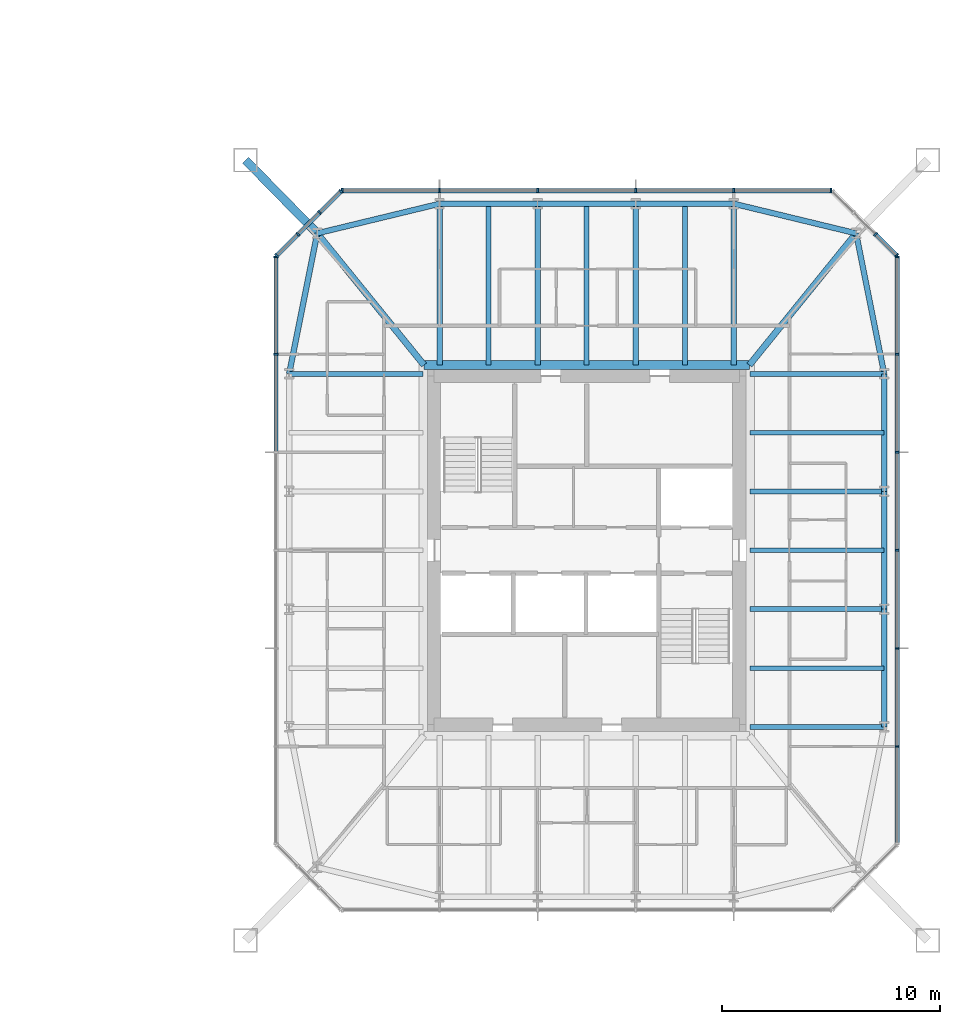
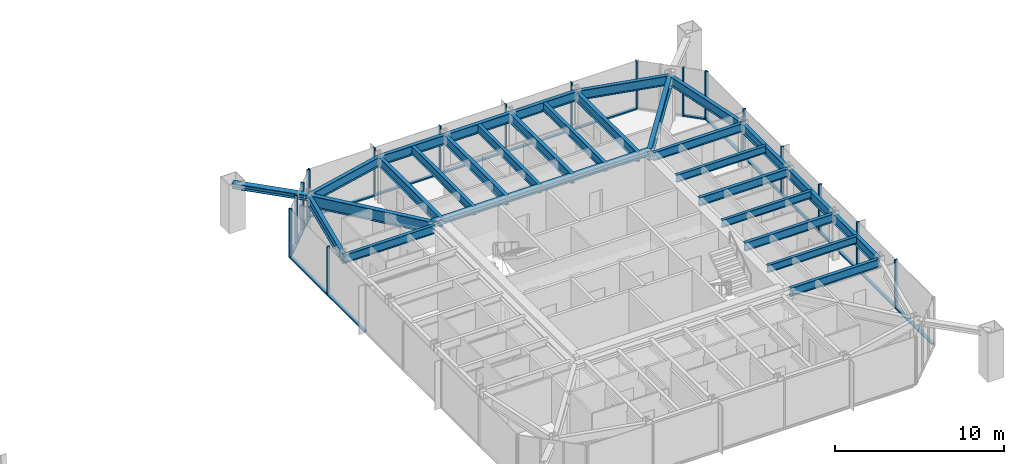
# One storey, part 9 of 25: 38 members, 28 beams, 5 elements without a shape of their own.
"""IFC4 building model written with IfcOpenShell, lengths in metres."""

from ifc_helpers import new_model, si_unit, direction, frame, origin, origin_2d, place, context, subcontext, project, spatial, rectangle, i_section, extrude, material, material_profile, profile_set, type_object, element, aggregate, save


model = new_model("IFC4")

# Units and contexts
model_context = context("Model", 3, precision=1e-05, world=origin(), true_north=direction((0.0, 1.0)))
body_context = subcontext(model_context, "Body", "Model", "MODEL_VIEW")
ifc_project = project(units=[si_unit("LENGTHUNIT", "METRE"), si_unit("AREAUNIT", "SQUARE_METRE"), si_unit("VOLUMEUNIT", "CUBIC_METRE"), si_unit("PLANEANGLEUNIT", "RADIAN"), si_unit("MASSUNIT", "GRAM", prefix="KILO")], contexts=[model_context])

# Site, building, storey
site_placement = place(None, origin())
site = spatial("IfcSite", under=ifc_project, at=site_placement, CompositionType="ELEMENT")
building_placement = place(site_placement, origin())
building = spatial("IfcBuilding", under=site, at=building_placement, Name="Iwan Alto Co-Living Towers", CompositionType="ELEMENT")
storey_placement = place(building_placement, frame((0.0, 0.0, 84.0)))
storey = spatial("IfcBuildingStorey", under=building, at=storey_placement, Name="L22", CompositionType="ELEMENT", Elevation=84.0)

# Curtain wall, members
ifc_material_1 = material(Name="Bronze aluminium unitised frame", Category="aluminium")
curtain_wall_type_1 = type_object("IfcCurtainWallType", Name="CURTAIN WALL CW-C", PredefinedType="NOTDEFINED", material=ifc_material_1)
curtain_wall_1_placement = place(storey_placement, origin())
curtain_wall_1 = element("IfcCurtainWall", 1, at=curtain_wall_1_placement, inside=storey, type_object=curtain_wall_type_1, Name="T2 curtain wall E L22", PredefinedType="NOTDEFINED")
ifc_material_2 = material(Name="Aluminium 6063-T6 bronze anodised", Category="aluminium")
ifc_material_profile_1 = material_profile(ifc_material_2, rectangle(XDim=0.199951171875, YDim=0.080078125, at=origin_2d()), Name="AL 80X200")
ifc_profile_set_1 = profile_set([ifc_material_profile_1], Name="Aluminium 6063-T6 bronze anodised")
member_type_1 = type_object("IfcMemberType", Name="CW-C MULLION 80X200", PredefinedType="MULLION", material=ifc_profile_set_1)
member_1_placement = place(storey_placement, frame((77.25, -9.0, 0.0), z_axis=(0.0, 0.0, 1.0), x_axis=(-1.0, 0.0, 0.0)))
member_1 = element("IfcMember", 2, at=member_1_placement, type_object=member_type_1, Name="CW-C mullion 2", PredefinedType="MULLION", context=body_context, shape_type="SweptSolid", body=[
    extrude(rectangle(XDim=0.199951171875, YDim=0.080078125, at=origin_2d()), origin(), (0.0, 0.0, 1.0), 3.5),
])
member_2_placement = place(storey_placement, frame((77.25, -4.5, 0.0), z_axis=(0.0, 0.0, 1.0), x_axis=(-1.0, 0.0, 0.0)))
member_2 = element("IfcMember", 3, at=member_2_placement, type_object=member_type_1, Name="CW-C mullion 3", PredefinedType="MULLION", context=body_context, shape_type="SweptSolid", body=[
    extrude(rectangle(XDim=0.199951171875, YDim=0.080078125, at=origin_2d()), origin(), (0.0, 0.0, 1.0), 3.5),
])
member_3_placement = place(storey_placement, frame((77.25, 0.0, 0.0), z_axis=(0.0, 0.0, 1.0), x_axis=(-1.0, 0.0, 0.0)))
member_3 = element("IfcMember", 4, at=member_3_placement, type_object=member_type_1, Name="CW-C mullion 4", PredefinedType="MULLION", context=body_context, shape_type="SweptSolid", body=[
    extrude(rectangle(XDim=0.199951171875, YDim=0.080078125, at=origin_2d()), origin(), (0.0, 0.0, 1.0), 3.5),
])
member_4_placement = place(storey_placement, frame((77.25, 4.5, 0.0), z_axis=(0.0, 0.0, 1.0), x_axis=(-1.0, 0.0, 0.0)))
member_4 = element("IfcMember", 5, at=member_4_placement, type_object=member_type_1, Name="CW-C mullion 5", PredefinedType="MULLION", context=body_context, shape_type="SweptSolid", body=[
    extrude(rectangle(XDim=0.199951171875, YDim=0.080078125, at=origin_2d()), origin(), (0.0, 0.0, 1.0), 3.5),
])
member_5_placement = place(storey_placement, frame((77.25, 9.0, 0.0), z_axis=(0.0, 0.0, 1.0), x_axis=(-1.0, 0.0, 0.0)))
member_5 = element("IfcMember", 6, at=member_5_placement, type_object=member_type_1, Name="CW-C mullion 6", PredefinedType="MULLION", context=body_context, shape_type="SweptSolid", body=[
    extrude(rectangle(XDim=0.199951171875, YDim=0.080078125, at=origin_2d()), origin(), (0.0, 0.0, 1.0), 3.5),
])
member_6_placement = place(storey_placement, frame((77.25, 13.4599609375, 0.0), z_axis=(0.0, 0.0, 1.0), x_axis=(-1.0, 0.0, 0.0)))
member_6 = element("IfcMember", 7, at=member_6_placement, type_object=member_type_1, Name="CW-C mullion 7", PredefinedType="MULLION", context=body_context, shape_type="SweptSolid", body=[
    extrude(rectangle(XDim=0.199951171875, YDim=0.080078125, at=origin_2d()), origin(), (0.0, 0.0, 1.0), 3.5),
])

curtain_wall_2_placement = place(storey_placement, origin())
curtain_wall_2 = element("IfcCurtainWall", 8, at=curtain_wall_2_placement, inside=storey, type_object=curtain_wall_type_1, Name="T2 curtain wall N L22", PredefinedType="NOTDEFINED")
member_7_placement = place(storey_placement, frame((74.2099609375, 16.5, 0.0), z_axis=(0.0, 0.0, 1.0), x_axis=(0.0, -1.0, 0.0)))
member_7 = element("IfcMember", 9, at=member_7_placement, type_object=member_type_1, Name="CW-C mullion 1", PredefinedType="MULLION", context=body_context, shape_type="SweptSolid", body=[
    extrude(rectangle(XDim=0.199951171875, YDim=0.080078125, at=origin_2d()), origin(), (0.0, 0.0, 1.0), 3.5),
])
member_8_placement = place(storey_placement, frame((69.75, 16.5, 0.0), z_axis=(0.0, 0.0, 1.0), x_axis=(0.0, -1.0, 0.0)))
member_8 = element("IfcMember", 10, at=member_8_placement, type_object=member_type_1, Name="CW-C mullion 2", PredefinedType="MULLION", context=body_context, shape_type="SweptSolid", body=[
    extrude(rectangle(XDim=0.199951171875, YDim=0.080078125, at=origin_2d()), origin(), (0.0, 0.0, 1.0), 3.5),
])
member_9_placement = place(storey_placement, frame((65.25, 16.5, 0.0), z_axis=(0.0, 0.0, 1.0), x_axis=(0.0, -1.0, 0.0)))
member_9 = element("IfcMember", 11, at=member_9_placement, type_object=member_type_1, Name="CW-C mullion 3", PredefinedType="MULLION", context=body_context, shape_type="SweptSolid", body=[
    extrude(rectangle(XDim=0.199951171875, YDim=0.080078125, at=origin_2d()), origin(), (0.0, 0.0, 1.0), 3.5),
])
member_10_placement = place(storey_placement, frame((60.75, 16.5, 0.0), z_axis=(0.0, 0.0, 1.0), x_axis=(0.0, -1.0, 0.0)))
member_10 = element("IfcMember", 12, at=member_10_placement, type_object=member_type_1, Name="CW-C mullion 4", PredefinedType="MULLION", context=body_context, shape_type="SweptSolid", body=[
    extrude(rectangle(XDim=0.199951171875, YDim=0.080078125, at=origin_2d()), origin(), (0.0, 0.0, 1.0), 3.5),
])
member_11_placement = place(storey_placement, frame((56.25, 16.5, 0.0), z_axis=(0.0, 0.0, 1.0), x_axis=(0.0, -1.0, 0.0)))
member_11 = element("IfcMember", 13, at=member_11_placement, type_object=member_type_1, Name="CW-C mullion 5", PredefinedType="MULLION", context=body_context, shape_type="SweptSolid", body=[
    extrude(rectangle(XDim=0.199951171875, YDim=0.080078125, at=origin_2d()), origin(), (0.0, 0.0, 1.0), 3.5),
])
member_12_placement = place(storey_placement, frame((51.7900390625, 16.5, 0.0), z_axis=(0.0, 0.0, 1.0), x_axis=(0.0, -1.0, 0.0)))
member_12 = element("IfcMember", 14, at=member_12_placement, type_object=member_type_1, Name="CW-C mullion 6", PredefinedType="MULLION", context=body_context, shape_type="SweptSolid", body=[
    extrude(rectangle(XDim=0.199951171875, YDim=0.080078125, at=origin_2d()), origin(), (0.0, 0.0, 1.0), 3.5),
])

curtain_wall_3_placement = place(storey_placement, origin())
curtain_wall_3 = element("IfcCurtainWall", 15, at=curtain_wall_3_placement, inside=storey, type_object=curtain_wall_type_1, Name="T2 curtain wall W L22", PredefinedType="NOTDEFINED")
member_13_placement = place(storey_placement, frame((48.75, 13.4599609375, 0.0), z_axis=(0.0, 0.0, 1.0), x_axis=(1.0, 0.0, 0.0)))
member_13 = element("IfcMember", 16, at=member_13_placement, type_object=member_type_1, Name="CW-C mullion 1", PredefinedType="MULLION", context=body_context, shape_type="SweptSolid", body=[
    extrude(rectangle(XDim=0.199951171875, YDim=0.080078125, at=origin_2d()), origin(), (0.0, 0.0, 1.0), 3.5),
])
member_14_placement = place(storey_placement, frame((48.75, 9.0, 0.0), z_axis=(0.0, 0.0, 1.0), x_axis=(1.0, 0.0, 0.0)))
member_14 = element("IfcMember", 17, at=member_14_placement, type_object=member_type_1, Name="CW-C mullion 2", PredefinedType="MULLION", context=body_context, shape_type="SweptSolid", body=[
    extrude(rectangle(XDim=0.199951171875, YDim=0.080078125, at=origin_2d()), origin(), (0.0, 0.0, 1.0), 3.5),
])

# Member
ifc_material_3 = material(Name="Aluminium 6063-T6 bronze anodised", Category="aluminium")
ifc_material_profile_2 = material_profile(ifc_material_3, rectangle(XDim=0.199951171875, YDim=0.10009765625, at=origin_2d()), Name="AL 200X100")
ifc_profile_set_2 = profile_set([ifc_material_profile_2], Name="Aluminium 6063-T6 bronze anodised")
member_type_2 = type_object("IfcMemberType", Name="CW-C TRANSOM 200X100", PredefinedType="USERDEFINED", material=ifc_profile_set_2)
member_15_placement = place(storey_placement, frame((77.25, -13.419921875, 0.050048828125), z_axis=(0.0, 1.0, 0.0), x_axis=(-1.0, 0.0, 0.0)))
member_15 = element("IfcMember", 18, at=member_15_placement, type_object=member_type_2, Name="CW-C transom 1.1", ObjectType="TRANSOM", PredefinedType="USERDEFINED", context=body_context, shape_type="SweptSolid", body=[
    extrude(rectangle(XDim=0.199951171875, YDim=0.10009765625, at=origin_2d()), origin(), (0.0, 0.0, 1.0), 4.3798828125),
])

member_16_placement = place(storey_placement, frame((77.25, -8.9599609375, 0.050048828125), z_axis=(0.0, 1.0, 0.0), x_axis=(-1.0, 0.0, 0.0)))
member_16 = element("IfcMember", 19, at=member_16_placement, type_object=member_type_2, Name="CW-C transom 2.1", ObjectType="TRANSOM", PredefinedType="USERDEFINED", context=body_context, shape_type="SweptSolid", body=[
    extrude(rectangle(XDim=0.199951171875, YDim=0.10009765625, at=origin_2d()), origin(), (0.0, 0.0, 1.0), 4.419921875),
])

member_17_placement = place(storey_placement, frame((77.25, -4.4599609375, 0.050048828125), z_axis=(0.0, 1.0, 0.0), x_axis=(-1.0, 0.0, 0.0)))
member_17 = element("IfcMember", 20, at=member_17_placement, type_object=member_type_2, Name="CW-C transom 3.1", ObjectType="TRANSOM", PredefinedType="USERDEFINED", context=body_context, shape_type="SweptSolid", body=[
    extrude(rectangle(XDim=0.199951171875, YDim=0.10009765625, at=origin_2d()), origin(), (0.0, 0.0, 1.0), 4.419921875),
])

member_18_placement = place(storey_placement, frame((77.25, 0.0400390625, 0.050048828125), z_axis=(0.0, 1.0, 0.0), x_axis=(-1.0, 0.0, 0.0)))
member_18 = element("IfcMember", 21, at=member_18_placement, type_object=member_type_2, Name="CW-C transom 4.1", ObjectType="TRANSOM", PredefinedType="USERDEFINED", context=body_context, shape_type="SweptSolid", body=[
    extrude(rectangle(XDim=0.199951171875, YDim=0.10009765625, at=origin_2d()), origin(), (0.0, 0.0, 1.0), 4.419921875),
])

member_19_placement = place(storey_placement, frame((77.25, 4.5400390625, 0.050048828125), z_axis=(0.0, 1.0, 0.0), x_axis=(-1.0, 0.0, 0.0)))
member_19 = element("IfcMember", 22, at=member_19_placement, type_object=member_type_2, Name="CW-C transom 5.1", ObjectType="TRANSOM", PredefinedType="USERDEFINED", context=body_context, shape_type="SweptSolid", body=[
    extrude(rectangle(XDim=0.199951171875, YDim=0.10009765625, at=origin_2d()), origin(), (0.0, 0.0, 1.0), 4.419921875),
])

member_20_placement = place(storey_placement, frame((77.25, 9.0400390625, 0.050048828125), z_axis=(0.0, 1.0, 0.0), x_axis=(-1.0, 0.0, 0.0)))
member_20 = element("IfcMember", 23, at=member_20_placement, type_object=member_type_2, Name="CW-C transom 6.1", ObjectType="TRANSOM", PredefinedType="USERDEFINED", context=body_context, shape_type="SweptSolid", body=[
    extrude(rectangle(XDim=0.199951171875, YDim=0.10009765625, at=origin_2d()), origin(), (0.0, 0.0, 1.0), 4.3798828125),
])

aggregate(curtain_wall_1, [member_1, member_2, member_3, member_4, member_5, member_6, member_15, member_16, member_17, member_18, member_19, member_20])

member_21_placement = place(storey_placement, frame((74.169921875, 16.5, 0.050048828125), z_axis=(-1.0, 0.0, 0.0), x_axis=(0.0, -1.0, 0.0)))
member_21 = element("IfcMember", 24, at=member_21_placement, type_object=member_type_2, Name="CW-C transom 1.1", ObjectType="TRANSOM", PredefinedType="USERDEFINED", context=body_context, shape_type="SweptSolid", body=[
    extrude(rectangle(XDim=0.199951171875, YDim=0.10009765625, at=origin_2d()), origin(), (0.0, 0.0, 1.0), 4.3798828125),
])

member_22_placement = place(storey_placement, frame((69.7099609375, 16.5, 0.050048828125), z_axis=(-1.0, 0.0, 0.0), x_axis=(0.0, -1.0, 0.0)))
member_22 = element("IfcMember", 25, at=member_22_placement, type_object=member_type_2, Name="CW-C transom 2.1", ObjectType="TRANSOM", PredefinedType="USERDEFINED", context=body_context, shape_type="SweptSolid", body=[
    extrude(rectangle(XDim=0.199951171875, YDim=0.10009765625, at=origin_2d()), origin(), (0.0, 0.0, 1.0), 4.419921875),
])

member_23_placement = place(storey_placement, frame((65.2099609375, 16.5, 0.050048828125), z_axis=(-1.0, 0.0, 0.0), x_axis=(0.0, -1.0, 0.0)))
member_23 = element("IfcMember", 26, at=member_23_placement, type_object=member_type_2, Name="CW-C transom 3.1", ObjectType="TRANSOM", PredefinedType="USERDEFINED", context=body_context, shape_type="SweptSolid", body=[
    extrude(rectangle(XDim=0.199951171875, YDim=0.10009765625, at=origin_2d()), origin(), (0.0, 0.0, 1.0), 4.419921875),
])

member_24_placement = place(storey_placement, frame((60.7099609375, 16.5, 0.050048828125), z_axis=(-1.0, 0.0, 0.0), x_axis=(0.0, -1.0, 0.0)))
member_24 = element("IfcMember", 27, at=member_24_placement, type_object=member_type_2, Name="CW-C transom 4.1", ObjectType="TRANSOM", PredefinedType="USERDEFINED", context=body_context, shape_type="SweptSolid", body=[
    extrude(rectangle(XDim=0.199951171875, YDim=0.10009765625, at=origin_2d()), origin(), (0.0, 0.0, 1.0), 4.419921875),
])

member_25_placement = place(storey_placement, frame((56.2099609375, 16.5, 0.050048828125), z_axis=(-1.0, 0.0, 0.0), x_axis=(0.0, -1.0, 0.0)))
member_25 = element("IfcMember", 28, at=member_25_placement, type_object=member_type_2, Name="CW-C transom 5.1", ObjectType="TRANSOM", PredefinedType="USERDEFINED", context=body_context, shape_type="SweptSolid", body=[
    extrude(rectangle(XDim=0.199951171875, YDim=0.10009765625, at=origin_2d()), origin(), (0.0, 0.0, 1.0), 4.3798828125),
])

aggregate(curtain_wall_2, [member_7, member_8, member_9, member_10, member_11, member_12, member_21, member_22, member_23, member_24, member_25])

member_26_placement = place(storey_placement, frame((48.75, 13.419921875, 0.050048828125), z_axis=(0.0, -1.0, 0.0), x_axis=(1.0, 0.0, 0.0)))
member_26 = element("IfcMember", 29, at=member_26_placement, type_object=member_type_2, Name="CW-C transom 1.1", ObjectType="TRANSOM", PredefinedType="USERDEFINED", context=body_context, shape_type="SweptSolid", body=[
    extrude(rectangle(XDim=0.199951171875, YDim=0.10009765625, at=origin_2d()), origin(), (0.0, 0.0, 1.0), 4.3798828125),
])

member_27_placement = place(storey_placement, frame((48.75, 8.9599609375, 0.050048828125), z_axis=(0.0, -1.0, 0.0), x_axis=(1.0, 0.0, 0.0)))
member_27 = element("IfcMember", 30, at=member_27_placement, type_object=member_type_2, Name="CW-C transom 2.1", ObjectType="TRANSOM", PredefinedType="USERDEFINED", context=body_context, shape_type="SweptSolid", body=[
    extrude(rectangle(XDim=0.199951171875, YDim=0.10009765625, at=origin_2d()), origin(), (0.0, 0.0, 1.0), 4.419921875),
])

aggregate(curtain_wall_3, [member_13, member_14, member_26, member_27])

# Curtain wall, members
ifc_material_4 = material(Name="Bronze aluminium unitised frame", Category="aluminium")
curtain_wall_type_2 = type_object("IfcCurtainWallType", Name="CURTAIN WALL CW-D", PredefinedType="NOTDEFINED", material=ifc_material_4)
curtain_wall_4_placement = place(storey_placement, origin())
curtain_wall_4 = element("IfcCurtainWall", 31, at=curtain_wall_4_placement, inside=storey, type_object=curtain_wall_type_2, Name="T2 chamfer curtain wall NE L22", PredefinedType="NOTDEFINED")
ifc_material_5 = material(Name="Aluminium 6063-T6 bronze anodised", Category="aluminium")
ifc_material_profile_3 = material_profile(ifc_material_5, rectangle(XDim=0.199951171875, YDim=0.080078125, at=origin_2d()), Name="AL 80X200")
ifc_profile_set_3 = profile_set([ifc_material_profile_3], Name="Aluminium 6063-T6 bronze anodised")
member_type_3 = type_object("IfcMemberType", Name="CW-D MULLION 80X200", PredefinedType="MULLION", material=ifc_profile_set_3)
member_28_placement = place(storey_placement, frame((77.2216796875, 13.5283203125, 0.0), z_axis=(0.0, 0.0, 1.0), x_axis=(-0.707106781187, -0.707106781187, 0.0)))
member_28 = element("IfcMember", 32, at=member_28_placement, type_object=member_type_3, Name="CW-D mullion 1", PredefinedType="MULLION", context=body_context, shape_type="SweptSolid", body=[
    extrude(rectangle(XDim=0.199951171875, YDim=0.080078125, at=origin_2d()), origin(), (0.0, 0.0, 1.0), 3.5),
])
member_29_placement = place(storey_placement, frame((76.25, 14.5, 0.0), z_axis=(0.0, 0.0, 1.0), x_axis=(-0.707106781187, -0.707106781187, 0.0)))
member_29 = element("IfcMember", 33, at=member_29_placement, type_object=member_type_3, Name="CW-D mullion 2", PredefinedType="MULLION", context=body_context, shape_type="SweptSolid", body=[
    extrude(rectangle(XDim=0.199951171875, YDim=0.080078125, at=origin_2d()), origin(), (0.0, 0.0, 1.0), 3.5),
])

curtain_wall_5_placement = place(storey_placement, origin())
curtain_wall_5 = element("IfcCurtainWall", 34, at=curtain_wall_5_placement, inside=storey, type_object=curtain_wall_type_2, Name="T2 chamfer curtain wall NW L22", PredefinedType="NOTDEFINED")
member_30_placement = place(storey_placement, frame((51.7216796875, 16.4716796875, 0.0), z_axis=(0.0, 0.0, 1.0), x_axis=(0.707106781187, -0.707106781187, 0.0)))
member_30 = element("IfcMember", 35, at=member_30_placement, type_object=member_type_3, Name="CW-D mullion 1", PredefinedType="MULLION", context=body_context, shape_type="SweptSolid", body=[
    extrude(rectangle(XDim=0.199951171875, YDim=0.080078125, at=origin_2d()), origin(), (0.0, 0.0, 1.0), 3.5),
])
member_31_placement = place(storey_placement, frame((50.75, 15.5, 0.0), z_axis=(0.0, 0.0, 1.0), x_axis=(0.707106781187, -0.707106781187, 0.0)))
member_31 = element("IfcMember", 36, at=member_31_placement, type_object=member_type_3, Name="CW-D mullion 2", PredefinedType="MULLION", context=body_context, shape_type="SweptSolid", body=[
    extrude(rectangle(XDim=0.199951171875, YDim=0.080078125, at=origin_2d()), origin(), (0.0, 0.0, 1.0), 3.5),
])
member_32_placement = place(storey_placement, frame((49.75, 14.5, 0.0), z_axis=(0.0, 0.0, 1.0), x_axis=(0.707106781187, -0.707106781187, 0.0)))
member_32 = element("IfcMember", 37, at=member_32_placement, type_object=member_type_3, Name="CW-D mullion 3", PredefinedType="MULLION", context=body_context, shape_type="SweptSolid", body=[
    extrude(rectangle(XDim=0.199951171875, YDim=0.080078125, at=origin_2d()), origin(), (0.0, 0.0, 1.0), 3.5),
])
member_33_placement = place(storey_placement, frame((48.7783203125, 13.5283203125, 0.0), z_axis=(0.0, 0.0, 1.0), x_axis=(0.707106781187, -0.707106781187, 0.0)))
member_33 = element("IfcMember", 38, at=member_33_placement, type_object=member_type_3, Name="CW-D mullion 4", PredefinedType="MULLION", context=body_context, shape_type="SweptSolid", body=[
    extrude(rectangle(XDim=0.199951171875, YDim=0.080078125, at=origin_2d()), origin(), (0.0, 0.0, 1.0), 3.5),
])

# Member
ifc_material_6 = material(Name="Aluminium 6063-T6 bronze anodised", Category="aluminium")
ifc_material_profile_4 = material_profile(ifc_material_6, rectangle(XDim=0.199951171875, YDim=0.10009765625, at=origin_2d()), Name="AL 200X100")
ifc_profile_set_4 = profile_set([ifc_material_profile_4], Name="Aluminium 6063-T6 bronze anodised")
member_type_4 = type_object("IfcMemberType", Name="CW-D TRANSOM 200X100", PredefinedType="USERDEFINED", material=ifc_profile_set_4)
member_34_placement = place(storey_placement, frame((77.193359375, 13.556640625, 0.050048828125), z_axis=(-0.707106781187, 0.707106781187, 0.0), x_axis=(-0.707106781187, -0.707106781187, 0.0)))
member_34 = element("IfcMember", 39, at=member_34_placement, type_object=member_type_4, Name="CW-D transom 1.1", ObjectType="TRANSOM", PredefinedType="USERDEFINED", context=body_context, shape_type="SweptSolid", body=[
    extrude(rectangle(XDim=0.199951171875, YDim=0.10009765625, at=origin_2d()), origin(), (0.0, 0.0, 1.0), 1.2939453125),
])

aggregate(curtain_wall_4, [member_28, member_29, member_34])

member_35_placement = place(storey_placement, frame((51.693359375, 16.443359375, 0.050048828125), z_axis=(-0.707106781187, -0.707106781187, 0.0), x_axis=(0.707106781187, -0.707106781187, 0.0)))
member_35 = element("IfcMember", 40, at=member_35_placement, type_object=member_type_4, Name="CW-D transom 1.1", ObjectType="TRANSOM", PredefinedType="USERDEFINED", context=body_context, shape_type="SweptSolid", body=[
    extrude(rectangle(XDim=0.199951171875, YDim=0.10009765625, at=origin_2d()), origin(), (0.0, 0.0, 1.0), 1.2939453125),
])

member_36_placement = place(storey_placement, frame((50.7216796875, 15.4716796875, 0.050048828125), z_axis=(-0.707106781187, -0.707106781187, 0.0), x_axis=(0.707106781187, -0.707106781187, 0.0)))
member_36 = element("IfcMember", 41, at=member_36_placement, type_object=member_type_4, Name="CW-D transom 2.1", ObjectType="TRANSOM", PredefinedType="USERDEFINED", context=body_context, shape_type="SweptSolid", body=[
    extrude(rectangle(XDim=0.199951171875, YDim=0.10009765625, at=origin_2d()), origin(), (0.0, 0.0, 1.0), 1.334228515625),
])

member_37_placement = place(storey_placement, frame((49.7216796875, 14.4716796875, 0.050048828125), z_axis=(-0.707106781187, -0.707106781187, 0.0), x_axis=(0.707106781187, -0.707106781187, 0.0)))
member_37 = element("IfcMember", 42, at=member_37_placement, type_object=member_type_4, Name="CW-D transom 3.1", ObjectType="TRANSOM", PredefinedType="USERDEFINED", context=body_context, shape_type="SweptSolid", body=[
    extrude(rectangle(XDim=0.199951171875, YDim=0.10009765625, at=origin_2d()), origin(), (0.0, 0.0, 1.0), 1.2939453125),
])

aggregate(curtain_wall_5, [member_30, member_31, member_32, member_33, member_35, member_36, member_37])

# Beams
ifc_material_7 = material(Name="Steel ASTM A992 Gr 50", Category="steel")
ifc_material_profile_5 = material_profile(ifc_material_7, i_section(OverallWidth=0.398681640625, OverallDepth=0.385986328125, WebThickness=0.02099609375, FlangeThickness=0.033203125, at=origin_2d()), Name="W14X176")
ifc_profile_set_5 = profile_set([ifc_material_profile_5], Name="Steel ASTM A992 Gr 50")
beam_type_1 = type_object("IfcBeamType", Name="T2 CORE LEDGER BEAM W14X176", PredefinedType="BEAM", material=ifc_profile_set_5)
beam_1_placement = place(storey_placement, frame((70.461669921875, 8.49951171875, 3.076904296875), z_axis=(-1.0, 0.0, 0.0), x_axis=(0.0, -1.0, 0.0)))
element("IfcBeam", 43, at=beam_1_placement, inside=storey, type_object=beam_type_1, Name="T2 core ledger beam N L23", PredefinedType="BEAM", context=body_context, shape_type="SweptSolid", body=[
    extrude(i_section(OverallWidth=0.398681640625, OverallDepth=0.385986328125, WebThickness=0.02099609375, FlangeThickness=0.033203125, at=origin_2d()), origin(), (0.0, 0.0, 1.0), 14.92333984375),
])
ifc_material_8 = material(Name="Steel ASTM A992 Gr 50", Category="steel")
ifc_material_profile_6 = material_profile(ifc_material_8, i_section(OverallWidth=0.2919921875, OverallDepth=0.8408203125, WebThickness=0.0146484375, FlangeThickness=0.021728515625, at=origin_2d()), Name="W33X130")
ifc_profile_set_6 = profile_set([ifc_material_profile_6], Name="Steel ASTM A992 Gr 50")
beam_type_2 = type_object("IfcBeamType", Name="T2 CORNER GIRDER W33X130", PredefinedType="BEAM", material=ifc_profile_set_6)
for number, where, z_axis, x_axis, name in (
    (44, (75.361328125, 14.542724609375, 2.849609375), (-0.629783024592, -0.776771100091, 0.0), (0.776771100091, -0.629783024592, 0.0), "T2 corner girder CNE L23"),
    (45, (50.638671875, 14.542724609375, 2.849609375), (0.629783024592, -0.776771100091, 0.0), (0.776771100091, 0.629783024592, 0.0), "T2 corner girder CNW L23"),
):
    element("IfcBeam", number, at=place(storey_placement, frame(where, z_axis=z_axis, x_axis=x_axis)), inside=storey, type_object=beam_type_2, Name=name, PredefinedType="BEAM", context=body_context, shape_type="SweptSolid", body=[
        extrude(i_section(OverallWidth=0.2919921875, OverallDepth=0.8408203125, WebThickness=0.0146484375, FlangeThickness=0.021728515625, at=origin_2d()), origin(), (0.0, 0.0, 1.0), 7.780029296875),
    ])
ifc_material_9 = material(Name="Steel ASTM A992 Gr 50", Category="steel")
ifc_material_profile_7 = material_profile(ifc_material_9, i_section(OverallWidth=0.25390625, OverallDepth=0.683349609375, WebThickness=0.012451171875, FlangeThickness=0.018798828125, at=origin_2d()), Name="W27X94")
ifc_profile_set_7 = profile_set([ifc_material_profile_7], Name="Steel ASTM A992 Gr 50")
beam_type_3 = type_object("IfcBeamType", Name="T2 EDGE BEAM W27X94", PredefinedType="BEAM", material=ifc_profile_set_7)
beam_2_placement = place(storey_placement, frame((76.64990234375, -8.10009765625, 2.928466796875), z_axis=(0.0, 1.0, 0.0), x_axis=(-1.0, 0.0, 0.0)))
element("IfcBeam", 46, at=beam_2_placement, inside=storey, type_object=beam_type_3, Name="T2 edge beam E1 L23", PredefinedType="BEAM", context=body_context, shape_type="SweptSolid", body=[
    extrude(i_section(OverallWidth=0.25390625, OverallDepth=0.683349609375, WebThickness=0.012451171875, FlangeThickness=0.018798828125, at=origin_2d()), origin(), (0.0, 0.0, 1.0), 5.400146484375),
])
beam_3_placement = place(storey_placement, frame((76.64990234375, -2.699951171875, 2.928466796875), z_axis=(0.0, 1.0, 0.0), x_axis=(-1.0, 0.0, 0.0)))
element("IfcBeam", 47, at=beam_3_placement, inside=storey, type_object=beam_type_3, Name="T2 edge beam E2 L23", PredefinedType="BEAM", context=body_context, shape_type="SweptSolid", body=[
    extrude(i_section(OverallWidth=0.25390625, OverallDepth=0.683349609375, WebThickness=0.012451171875, FlangeThickness=0.018798828125, at=origin_2d()), origin(), (0.0, 0.0, 1.0), 5.39990234375),
])
beam_4_placement = place(storey_placement, frame((76.64990234375, 2.699951171875, 2.928466796875), z_axis=(0.0, 1.0, 0.0), x_axis=(-1.0, 0.0, 0.0)))
element("IfcBeam", 48, at=beam_4_placement, inside=storey, type_object=beam_type_3, Name="T2 edge beam E3 L23", PredefinedType="BEAM", context=body_context, shape_type="SweptSolid", body=[
    extrude(i_section(OverallWidth=0.25390625, OverallDepth=0.683349609375, WebThickness=0.012451171875, FlangeThickness=0.018798828125, at=origin_2d()), origin(), (0.0, 0.0, 1.0), 5.400146484375),
])
beam_5_placement = place(storey_placement, frame((76.64990234375, 8.10009765625, 2.928466796875), z_axis=(-0.196123281025, 0.980579246487, 0.0), x_axis=(-0.980579246487, -0.196123281025, 0.0)))
element("IfcBeam", 49, at=beam_5_placement, inside=storey, type_object=beam_type_3, Name="T2 edge beam E4 L23", PredefinedType="BEAM", context=body_context, shape_type="SweptSolid", body=[
    extrude(i_section(OverallWidth=0.25390625, OverallDepth=0.683349609375, WebThickness=0.012451171875, FlangeThickness=0.018798828125, at=origin_2d()), origin(), (0.0, 0.0, 1.0), 6.5703125),
])
beam_6_placement = place(storey_placement, frame((75.361328125, 14.542724609375, 2.928466796875), z_axis=(-0.971974673138, 0.235085590323, 0.0), x_axis=(-0.235085590323, -0.971974673138, 0.0)))
element("IfcBeam", 50, at=beam_6_placement, inside=storey, type_object=beam_type_3, Name="T2 edge beam CNE L23", PredefinedType="BEAM", context=body_context, shape_type="SweptSolid", body=[
    extrude(i_section(OverallWidth=0.25390625, OverallDepth=0.683349609375, WebThickness=0.012451171875, FlangeThickness=0.018798828125, at=origin_2d()), origin(), (0.0, 0.0, 1.0), 5.773193359375),
])
for number, where, z_axis, x_axis, name in (
    (51, (69.75, 15.89990234375, 2.928466796875), (-1.0, 0.0, 0.0), (0.0, -1.0, 0.0), "T2 edge beam N1 L23"),
    (52, (65.25, 15.89990234375, 2.928466796875), (-1.0, 0.0, 0.0), (0.0, -1.0, 0.0), "T2 edge beam N2 L23"),
    (53, (60.75, 15.89990234375, 2.928466796875), (-1.0, 0.0, 0.0), (0.0, -1.0, 0.0), "T2 edge beam N3 L23"),
):
    element("IfcBeam", number, at=place(storey_placement, frame(where, z_axis=z_axis, x_axis=x_axis)), inside=storey, type_object=beam_type_3, Name=name, PredefinedType="BEAM", context=body_context, shape_type="SweptSolid", body=[
        extrude(i_section(OverallWidth=0.25390625, OverallDepth=0.683349609375, WebThickness=0.012451171875, FlangeThickness=0.018798828125, at=origin_2d()), origin(), (0.0, 0.0, 1.0), 4.5),
    ])
beam_7_placement = place(storey_placement, frame((56.25, 15.89990234375, 2.928466796875), z_axis=(-0.971974673138, -0.235085590323, 0.0), x_axis=(0.235085590323, -0.971974673138, 0.0)))
element("IfcBeam", 54, at=beam_7_placement, inside=storey, type_object=beam_type_3, Name="T2 edge beam N4 L23", PredefinedType="BEAM", context=body_context, shape_type="SweptSolid", body=[
    extrude(i_section(OverallWidth=0.25390625, OverallDepth=0.683349609375, WebThickness=0.012451171875, FlangeThickness=0.018798828125, at=origin_2d()), origin(), (0.0, 0.0, 1.0), 5.773193359375),
])
beam_8_placement = place(storey_placement, frame((50.638671875, 14.542724609375, 2.928466796875), z_axis=(-0.196123281025, -0.980579246487, 0.0), x_axis=(0.980579246487, -0.196123281025, 0.0)))
element("IfcBeam", 55, at=beam_8_placement, inside=storey, type_object=beam_type_3, Name="T2 edge beam CNW L23", PredefinedType="BEAM", context=body_context, shape_type="SweptSolid", body=[
    extrude(i_section(OverallWidth=0.25390625, OverallDepth=0.683349609375, WebThickness=0.012451171875, FlangeThickness=0.018798828125, at=origin_2d()), origin(), (0.0, 0.0, 1.0), 6.5703125),
])

# Member
ifc_material_10 = material(Name="Steel ASTM A992 Gr 50", Category="steel")
ifc_material_profile_8 = material_profile(ifc_material_10, i_section(OverallWidth=0.393798828125, OverallDepth=0.3759765625, WebThickness=0.017333984375, FlangeThickness=0.027587890625, at=origin_2d()), Name="W14X145")
ifc_profile_set_8 = profile_set([ifc_material_profile_8], Name="Steel ASTM A992 Gr 50")
member_type_5 = type_object("IfcMemberType", Name="T2 MEGA COLUMN FLOOR TIE W14X145", PredefinedType="STRUT", material=ifc_profile_set_8)
member_38_placement = place(storey_placement, frame((47.35009765625, 17.89990234375, 3.08203125), z_axis=(0.699770096147, -0.714368121166, 0.0), x_axis=(0.714368121166, 0.699770096147, 0.0)))
element("IfcMember", 56, at=member_38_placement, inside=storey, type_object=member_type_5, Name="T2 mega column floor tie NW L23", PredefinedType="STRUT", context=body_context, shape_type="SweptSolid", body=[
    extrude(i_section(OverallWidth=0.393798828125, OverallDepth=0.3759765625, WebThickness=0.017333984375, FlangeThickness=0.027587890625, at=origin_2d()), origin(), (0.0, 0.0, 1.0), 4.699462890625),
])

# Beams
ifc_material_11 = material(Name="Steel ASTM A992 Gr 50", Category="steel")
ifc_material_profile_9 = material_profile(ifc_material_11, i_section(OverallWidth=0.228271484375, OverallDepth=0.607177734375, WebThickness=0.01123046875, FlangeThickness=0.017333984375, at=origin_2d()), Name="W24X76")
ifc_profile_set_9 = profile_set([ifc_material_profile_9], Name="Steel ASTM A992 Gr 50")
beam_type_4 = type_object("IfcBeamType", Name="T2 RADIAL BEAM W24X76", PredefinedType="BEAM", material=ifc_profile_set_9)
for number, where, z_axis, x_axis, name in (
    (57, (76.64990234375, -8.10009765625, 2.966552734375), (-1.0, 0.0, 0.0), (0.0, -1.0, 0.0), "T2 radial beam E1 L23"),
    (58, (76.64990234375, -2.699951171875, 2.966552734375), (-1.0, 0.0, 0.0), (0.0, -1.0, 0.0), "T2 radial beam E2 L23"),
    (59, (76.64990234375, 2.699951171875, 2.966552734375), (-1.0, 0.0, 0.0), (0.0, -1.0, 0.0), "T2 radial beam E3 L23"),
    (60, (76.64990234375, 8.10009765625, 2.966552734375), (-1.0, 0.0, 0.0), (0.0, -1.0, 0.0), "T2 radial beam E4 L23"),
    (61, (49.35009765625, 8.10009765625, 2.966552734375), (1.0, 0.0, 0.0), (0.0, 1.0, 0.0), "T2 radial beam W1 L23"),
):
    element("IfcBeam", number, at=place(storey_placement, frame(where, z_axis=z_axis, x_axis=x_axis)), inside=storey, type_object=beam_type_4, Name=name, PredefinedType="BEAM", context=body_context, shape_type="SweptSolid", body=[
        extrude(i_section(OverallWidth=0.228271484375, OverallDepth=0.607177734375, WebThickness=0.01123046875, FlangeThickness=0.017333984375, at=origin_2d()), origin(), (0.0, 0.0, 1.0), 6.150390625),
    ])
ifc_material_12 = material(Name="Steel ASTM A992 Gr 50", Category="steel")
ifc_material_profile_10 = material_profile(ifc_material_12, i_section(OverallWidth=0.25390625, OverallDepth=0.683349609375, WebThickness=0.012451171875, FlangeThickness=0.018798828125, at=origin_2d()), Name="W27X94")
ifc_profile_set_10 = profile_set([ifc_material_profile_10], Name="Steel ASTM A992 Gr 50")
beam_type_5 = type_object("IfcBeamType", Name="T2 RADIAL BEAM W27X94", PredefinedType="BEAM", material=ifc_profile_set_10)
for number, where, z_axis, x_axis, name in (
    (62, (69.75, 15.89990234375, 2.928466796875), (0.0, -1.0, 0.0), (1.0, 0.0, 0.0), "T2 radial beam N1 L23"),
    (63, (65.25, 15.89990234375, 2.928466796875), (0.0, -1.0, 0.0), (1.0, 0.0, 0.0), "T2 radial beam N2 L23"),
    (64, (60.75, 15.89990234375, 2.928466796875), (0.0, -1.0, 0.0), (1.0, 0.0, 0.0), "T2 radial beam N3 L23"),
    (65, (56.25, 15.89990234375, 2.928466796875), (0.0, -1.0, 0.0), (1.0, 0.0, 0.0), "T2 radial beam N4 L23"),
):
    element("IfcBeam", number, at=place(storey_placement, frame(where, z_axis=z_axis, x_axis=x_axis)), inside=storey, type_object=beam_type_5, Name=name, PredefinedType="BEAM", context=body_context, shape_type="SweptSolid", body=[
        extrude(i_section(OverallWidth=0.25390625, OverallDepth=0.683349609375, WebThickness=0.012451171875, FlangeThickness=0.018798828125, at=origin_2d()), origin(), (0.0, 0.0, 1.0), 7.400390625),
    ])
ifc_material_13 = material(Name="Steel ASTM A992 Gr 50", Category="steel")
ifc_material_profile_11 = material_profile(ifc_material_13, i_section(OverallWidth=0.209228515625, OverallDepth=0.533447265625, WebThickness=0.01025390625, FlangeThickness=0.015625, at=origin_2d()), Name="W21X62")
ifc_profile_set_11 = profile_set([ifc_material_profile_11], Name="Steel ASTM A992 Gr 50")
beam_type_6 = type_object("IfcBeamType", Name="T2 SECONDARY BEAM W21X62", PredefinedType="JOIST", material=ifc_profile_set_11)
for number, where, z_axis, x_axis, name in (
    (66, (76.64990234375, -5.39990234375, 3.00341796875), (-1.0, 0.0, 0.0), (0.0, -1.0, 0.0), "T2 secondary beam E1 L23"),
    (67, (76.64990234375, 0.0, 3.00341796875), (-1.0, 0.0, 0.0), (0.0, -1.0, 0.0), "T2 secondary beam E2 L23"),
    (68, (76.64990234375, 5.39990234375, 3.00341796875), (-1.0, 0.0, 0.0), (0.0, -1.0, 0.0), "T2 secondary beam E3 L23"),
):
    element("IfcBeam", number, at=place(storey_placement, frame(where, z_axis=z_axis, x_axis=x_axis)), inside=storey, type_object=beam_type_6, Name=name, PredefinedType="JOIST", context=body_context, shape_type="SweptSolid", body=[
        extrude(i_section(OverallWidth=0.209228515625, OverallDepth=0.533447265625, WebThickness=0.01025390625, FlangeThickness=0.015625, at=origin_2d()), origin(), (0.0, 0.0, 1.0), 6.150390625),
    ])
ifc_material_14 = material(Name="Steel ASTM A992 Gr 50", Category="steel")
ifc_material_profile_12 = material_profile(ifc_material_14, i_section(OverallWidth=0.228271484375, OverallDepth=0.607177734375, WebThickness=0.01123046875, FlangeThickness=0.017333984375, at=origin_2d()), Name="W24X76")
ifc_profile_set_12 = profile_set([ifc_material_profile_12], Name="Steel ASTM A992 Gr 50")
beam_type_7 = type_object("IfcBeamType", Name="T2 SECONDARY BEAM W24X76", PredefinedType="JOIST", material=ifc_profile_set_12)
for number, where, z_axis, x_axis, name in (
    (69, (67.5, 15.89990234375, 2.966552734375), (0.0, -1.0, 0.0), (1.0, 0.0, 0.0), "T2 secondary beam N1 L23"),
    (70, (63.0, 15.89990234375, 2.966552734375), (0.0, -1.0, 0.0), (1.0, 0.0, 0.0), "T2 secondary beam N2 L23"),
    (71, (58.5, 15.89990234375, 2.966552734375), (0.0, -1.0, 0.0), (1.0, 0.0, 0.0), "T2 secondary beam N3 L23"),
):
    element("IfcBeam", number, at=place(storey_placement, frame(where, z_axis=z_axis, x_axis=x_axis)), inside=storey, type_object=beam_type_7, Name=name, PredefinedType="JOIST", context=body_context, shape_type="SweptSolid", body=[
        extrude(i_section(OverallWidth=0.228271484375, OverallDepth=0.607177734375, WebThickness=0.01123046875, FlangeThickness=0.017333984375, at=origin_2d()), origin(), (0.0, 0.0, 1.0), 7.400390625),
    ])

save(model, "model.ifc")
